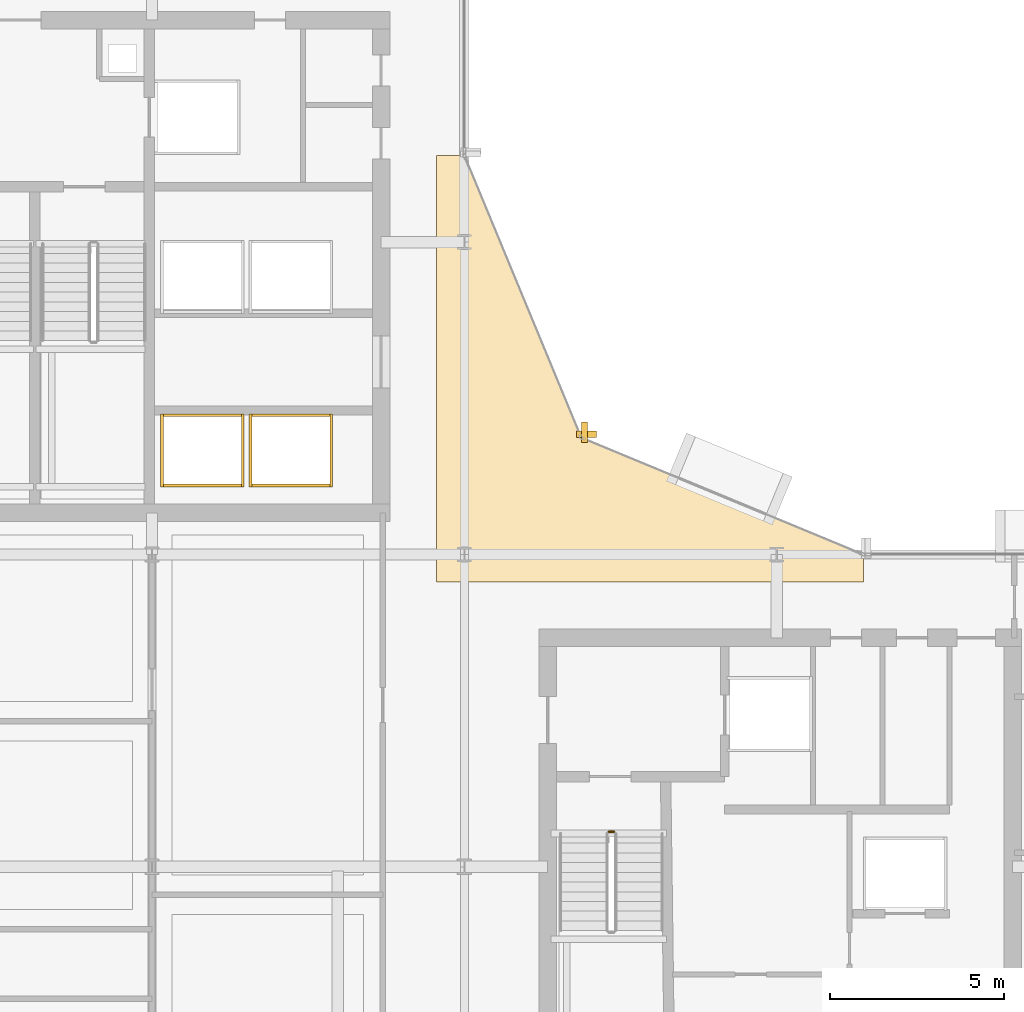
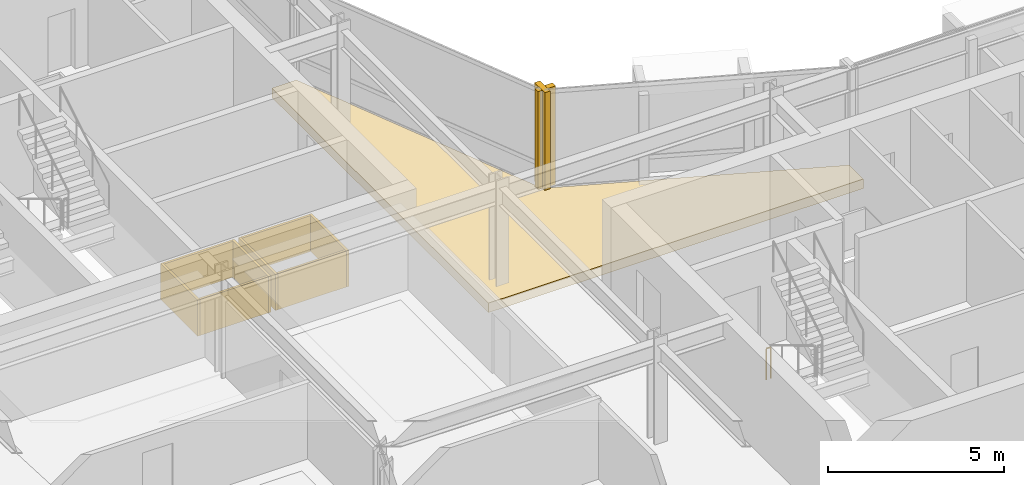
# One storey, part 27 of 29: 11 coverings, 1 railing.
"""IFC4 building model written with IfcOpenShell, lengths in metres."""

from ifc_helpers import new_model, si_unit, direction, frame, origin, origin_2d, place, context, subcontext, project, spatial, polyline, rectangle, circle, outline, extrude, material, layer, layer_set, type_object, element, save


model = new_model("IFC4")

# Units and contexts
model_context = context("Model", 3, precision=1e-05, world=origin(), true_north=direction((0.0, 1.0)))
body_context = subcontext(model_context, "Body", "Model", "MODEL_VIEW")
ifc_project = project(units=[si_unit("LENGTHUNIT", "METRE"), si_unit("AREAUNIT", "SQUARE_METRE"), si_unit("VOLUMEUNIT", "CUBIC_METRE"), si_unit("PLANEANGLEUNIT", "RADIAN"), si_unit("MASSUNIT", "GRAM", prefix="KILO")], contexts=[model_context])

# Site, building, storey
site_placement = place(None, origin())
site = spatial("IfcSite", under=ifc_project, at=site_placement, CompositionType="ELEMENT")
building_placement = place(site_placement, origin())
building = spatial("IfcBuilding", under=site, at=building_placement, Name="Solvaryn Broadcast Tower", CompositionType="ELEMENT")
storey_placement = place(building_placement, frame((0.0, 0.0, 139.60009765625)))
storey = spatial("IfcBuildingStorey", under=building, at=storey_placement, Name="L34", CompositionType="ELEMENT", Elevation=139.60009765625)

# Coverings
ifc_material_1 = material(Name="Fire-Rated Gypsum Shaftwall Liner", Category="concrete")
ifc_layer_1 = layer(ifc_material_1, 0.080078125)
ifc_layer_set_1 = layer_set([ifc_layer_1], Name="CV-SHAFT-LINER")
covering_type_1 = type_object("IfcCoveringType", Name="CV-SHAFT-LINER", PredefinedType="CLADDING", material=ifc_layer_set_1)
for number, where, z_axis, x_axis, name in (
    (1, (19.449951171875, 31.014892578125, 0.0), (0.0, 0.0, 1.0), (1.0, 0.0, 0.0), "L34 PH1 Hoistway Shaft Liner North"),
    (2, (19.449951171875, 28.985107421875, 0.0), (0.0, 0.0, 1.0), (1.0, 0.0, 0.0), "L34 PH1 Hoistway Shaft Liner South"),
):
    element("IfcCovering", number, at=place(storey_placement, frame(where, z_axis=z_axis, x_axis=x_axis)), inside=storey, type_object=covering_type_1, Name=name, PredefinedType="CLADDING", context=body_context, shape_type="SweptSolid", body=[
        extrude(rectangle(XDim=2.409912109375, YDim=0.080078125, at=origin_2d()), origin(), (0.0, 0.0, 1.0), 1.25),
    ])
for number, where, z_axis, x_axis, name in (
    (3, (20.614990234375, 30.0, 0.0), (0.0, 0.0, 1.0), (1.0, 0.0, 0.0), "L34 PH1 Hoistway Shaft Liner East"),
    (4, (18.284912109375, 30.0, 0.0), (0.0, 0.0, 1.0), (1.0, 0.0, 0.0), "L34 PH1 Hoistway Shaft Liner West"),
):
    element("IfcCovering", number, at=place(storey_placement, frame(where, z_axis=z_axis, x_axis=x_axis)), inside=storey, type_object=covering_type_1, Name=name, PredefinedType="CLADDING", context=body_context, shape_type="SweptSolid", body=[
        extrude(rectangle(XDim=0.080078125, YDim=2.110107421875, at=origin_2d()), origin(), (0.0, 0.0, 1.0), 1.25),
    ])
for number, where, z_axis, x_axis, name in (
    (5, (22.0, 31.014892578125, 0.0), (0.0, 0.0, 1.0), (1.0, 0.0, 0.0), "L34 PH2 Hoistway Shaft Liner North"),
    (6, (22.0, 28.985107421875, 0.0), (0.0, 0.0, 1.0), (1.0, 0.0, 0.0), "L34 PH2 Hoistway Shaft Liner South"),
):
    element("IfcCovering", number, at=place(storey_placement, frame(where, z_axis=z_axis, x_axis=x_axis)), inside=storey, type_object=covering_type_1, Name=name, PredefinedType="CLADDING", context=body_context, shape_type="SweptSolid", body=[
        extrude(rectangle(XDim=2.409912109375, YDim=0.080078125, at=origin_2d()), origin(), (0.0, 0.0, 1.0), 1.25),
    ])
for number, where, z_axis, x_axis, name in (
    (7, (23.1650390625, 30.0, 0.0), (0.0, 0.0, 1.0), (1.0, 0.0, 0.0), "L34 PH2 Hoistway Shaft Liner East"),
    (8, (20.8349609375, 30.0, 0.0), (0.0, 0.0, 1.0), (1.0, 0.0, 0.0), "L34 PH2 Hoistway Shaft Liner West"),
):
    element("IfcCovering", number, at=place(storey_placement, frame(where, z_axis=z_axis, x_axis=x_axis)), inside=storey, type_object=covering_type_1, Name=name, PredefinedType="CLADDING", context=body_context, shape_type="SweptSolid", body=[
        extrude(rectangle(XDim=0.080078125, YDim=2.110107421875, at=origin_2d()), origin(), (0.0, 0.0, 1.0), 1.25),
    ])
ifc_material_2 = material(Name="Extruded Architectural Terracotta Fin", Category="masonry")
ifc_layer_2 = layer(ifc_material_2, 0.179931640625)
ifc_layer_set_2 = layer_set([ifc_layer_2], Name="CV-TC-FIN")
covering_type_2 = type_object("IfcCoveringType", Name="CV-TC-FIN", PredefinedType="USERDEFINED", material=ifc_layer_set_2)
covering_1_placement = place(storey_placement, frame((30.464599609375, 30.52294921875, 0.0), z_axis=(0.0, 0.0, 1.0), x_axis=(1.0, 0.0, 0.0)))
element("IfcCovering", 9, at=covering_1_placement, inside=storey, type_object=covering_type_2, Name="L34 Terracotta Vertical Fin FIN-L34-CN1-M01", ObjectType="FIN", PredefinedType="USERDEFINED", context=body_context, shape_type="SweptSolid", body=[
    extrude(rectangle(XDim=0.179931640625, YDim=0.580078125, at=origin_2d()), origin(), (0.0, 0.0, 1.0), 3.419921875),
])
covering_2_placement = place(storey_placement, frame((30.52294921875, 30.464599609375, 0.0), z_axis=(0.0, 0.0, 1.0), x_axis=(1.0, 0.0, 0.0)))
element("IfcCovering", 10, at=covering_2_placement, inside=storey, type_object=covering_type_2, Name="L34 Terracotta Vertical Fin FIN-L34-CN2-M00", ObjectType="FIN", PredefinedType="USERDEFINED", context=body_context, shape_type="SweptSolid", body=[
    extrude(rectangle(XDim=0.580078125, YDim=0.179931640625, at=origin_2d()), origin(), (0.0, 0.0, 1.0), 3.419921875),
])
ifc_material_3 = material(Name="Sculpted Architectural Terracotta Wave Fascia", Category="masonry")
ifc_layer_3 = layer(ifc_material_3, 0.340087890625)
ifc_layer_set_3 = layer_set([ifc_layer_3], Name="CV-WAVE-TRAY")
covering_type_3 = type_object("IfcCoveringType", Name="CV-WAVE-TRAY", PredefinedType="CLADDING", material=ifc_layer_set_3)
covering_3_placement = place(storey_placement, frame((0.0, 0.0, -0.300048828125)))
element("IfcCovering", 11, at=covering_3_placement, inside=storey, type_object=covering_type_3, Name="L34 Concave Canyon Floor Apron", PredefinedType="CLADDING", context=body_context, shape_type="SweptSolid", body=[
    extrude(outline(polyline([(26.199951171875, 26.199951171875), (38.5, 26.199951171875), (38.5, 27.0), (30.367919921875, 30.367919921875), (27.0, 38.5), (26.199951171875, 38.5), (26.199951171875, 26.199951171875)])), origin(), (0.0, 0.0, 1.0), 0.329833984375),
])

# Railing
ifc_material_4 = material(Name="Painted Steel Stair Well Guard", Category="steel")
railing_type = type_object("IfcRailingType", Name="RL-STAIR-GUARD", PredefinedType="BALUSTRADE", material=ifc_material_4)
railing_placement = place(storey_placement, frame((31.159912109375, 19.010009765625, 0.0)))
element("IfcRailing", 12, at=railing_placement, inside=storey, type_object=railing_type, Name="L34 ST3 stair guard 4", PredefinedType="BALUSTRADE", context=body_context, shape_type="SweptSolid", body=[
    extrude(circle(Radius=0.02392578125, at=origin_2d()), frame((0.0, 0.0, 1.076171875), z_axis=(1.0, 0.0, 0.0), x_axis=(0.0, 1.0, 0.0)), (0.0, 0.0, 1.0), 0.150146484375),
    extrude(circle(Radius=0.02099609375, at=origin_2d()), origin(), (0.0, 0.0, 1.0), 1.052001953125),
    extrude(circle(Radius=0.02099609375, at=origin_2d()), frame((0.150146484375, 0.0, 0.0)), (0.0, 0.0, 1.0), 1.052001953125),
])

save(model, "model.ifc")
